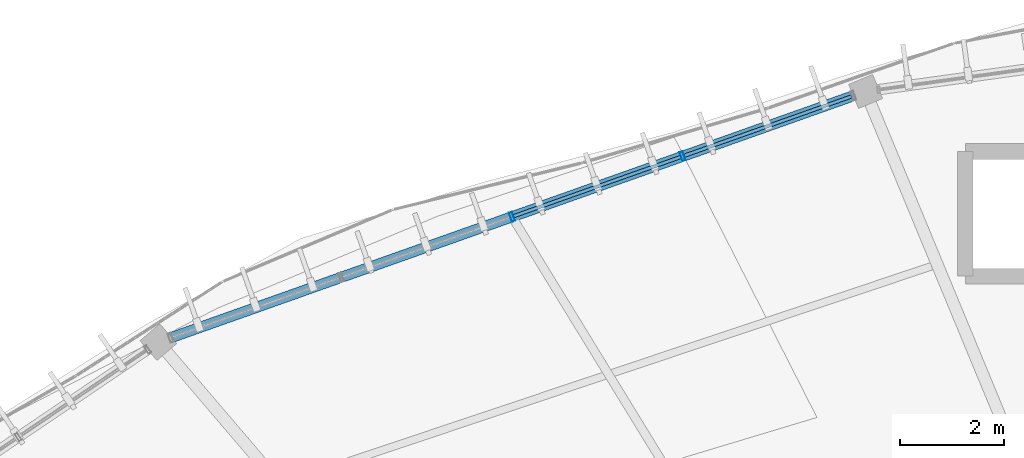
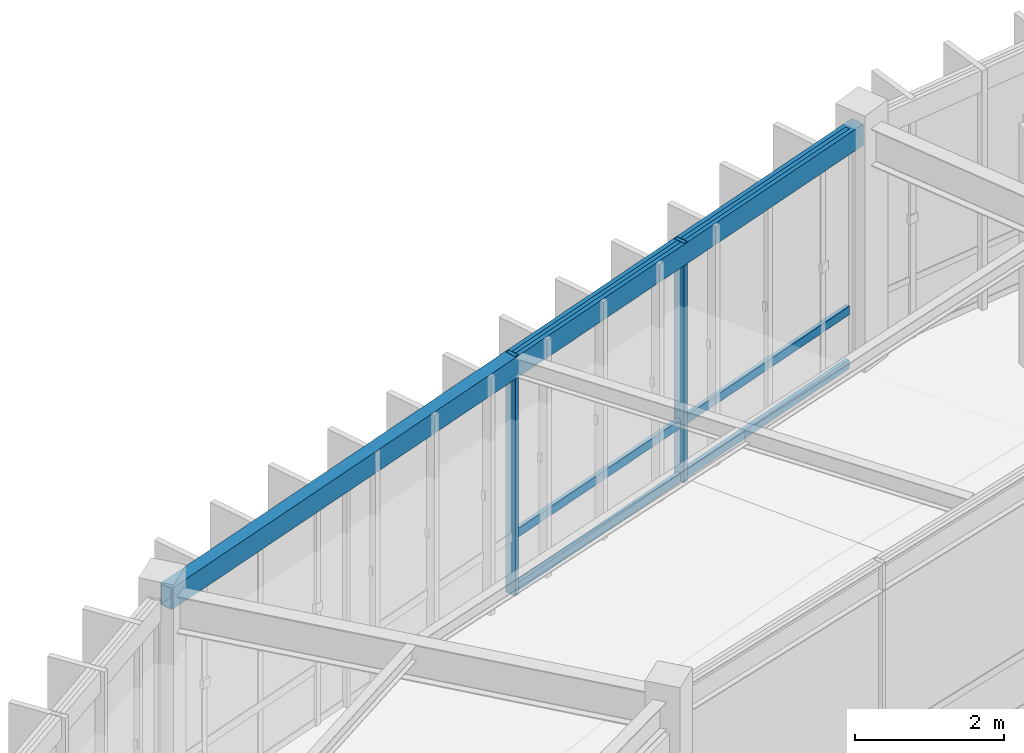
# One storey, part 33 of 78: 8 members, 1 beam, 1 element without a shape of its own.
"""IFC4 building model written with IfcOpenShell, lengths in metres."""

from ifc_helpers import new_model, si_unit, direction, frame, origin, origin_2d, place, context, subcontext, project, spatial, hollow_rectangle, extrude, material, material_profile, profile_set, type_object, element, aggregate, save


model = new_model("IFC4")

# Units and contexts
model_context = context("Model", 3, precision=1e-05, world=origin(), true_north=direction((0.0, 1.0)))
body_context = subcontext(model_context, "Body", "Model", "MODEL_VIEW")
ifc_project = project(units=[si_unit("LENGTHUNIT", "METRE"), si_unit("AREAUNIT", "SQUARE_METRE"), si_unit("VOLUMEUNIT", "CUBIC_METRE"), si_unit("PLANEANGLEUNIT", "RADIAN"), si_unit("MASSUNIT", "GRAM", prefix="KILO"), si_unit("THERMODYNAMICTEMPERATUREUNIT", "KELVIN"), si_unit("POWERUNIT", "WATT")], contexts=[model_context])

# Site, building, storey
site_placement = place(None, origin())
site = spatial("IfcSite", under=ifc_project, at=site_placement, CompositionType="ELEMENT")
building_placement = place(site_placement, origin())
building = spatial("IfcBuilding", under=site, at=building_placement, Name="Darbajah Civic Hall", CompositionType="ELEMENT")
storey_placement = place(building_placement, frame((0.0, 0.0, 26.39990234375)))
storey = spatial("IfcBuildingStorey", under=building, at=storey_placement, Name="L06", CompositionType="ELEMENT", Elevation=26.39990234375)

# Curtain wall, members
ifc_material_1 = material(Name="Anodised Bronze Aluminium and Low-E Glazing", Category="aluminium")
curtain_wall_type = type_object("IfcCurtainWallType", Name="Unitised Curtain Wall CW-80 13900x3900", PredefinedType="USERDEFINED", material=ifc_material_1)
curtain_wall_placement = place(storey_placement, origin())
curtain_wall = element("IfcCurtainWall", 1, at=curtain_wall_placement, inside=storey, type_object=curtain_wall_type, Name="L06 unitised curtain wall CW-V1O-L06-06", ObjectType="UNITISED CURTAIN WALL", PredefinedType="USERDEFINED")
ifc_material_2 = material(Name="Anodised Bronze Aluminium", Category="aluminium")
ifc_material_profile_1 = material_profile(ifc_material_2, hollow_rectangle(XDim=0.06494140625, YDim=0.179931640625, WallThickness=0.00390625, at=origin_2d()), Name="ALU MULLION 65x180")
ifc_profile_set_1 = profile_set([ifc_material_profile_1], Name="Anodised Bronze Aluminium")
member_type_1 = type_object("IfcMemberType", Name="ALU MULLION 65x180", PredefinedType="MULLION", material=ifc_profile_set_1)
member_1_placement = place(storey_placement, frame((66.06298828125, 115.806640625, 0.0), z_axis=(0.0, 0.0, 1.0), x_axis=(-0.94252491309, -0.334135882844, 0.0)))
member_1 = element("IfcMember", 2, at=member_1_placement, type_object=member_type_1, Name="CW-V1O-L06-06 mullion 2", PredefinedType="MULLION", context=body_context, shape_type="SweptSolid", body=[
    extrude(hollow_rectangle(XDim=0.06494140625, YDim=0.179931640625, WallThickness=0.00390625, at=origin_2d()), origin(), (0.0, 0.0, 1.0), 3.920166015625),
])
member_2_placement = place(storey_placement, frame((62.780517578125, 114.643310546875, 0.0), z_axis=(0.0, 0.0, 1.0), x_axis=(-0.94252491309, -0.334135882844, 0.0)))
member_2 = element("IfcMember", 3, at=member_2_placement, type_object=member_type_1, Name="CW-V1O-L06-06 mullion 3", PredefinedType="MULLION", context=body_context, shape_type="SweptSolid", body=[
    extrude(hollow_rectangle(XDim=0.06494140625, YDim=0.179931640625, WallThickness=0.00390625, at=origin_2d()), origin(), (0.0, 0.0, 1.0), 3.920166015625),
])
ifc_material_profile_2 = material_profile(ifc_material_2, hollow_rectangle(XDim=0.06494140625, YDim=0.139892578125, WallThickness=0.00341796875, at=origin_2d()), Name="ALU TRANSOM 65x140")
ifc_profile_set_2 = profile_set([ifc_material_profile_2], Name="Anodised Bronze Aluminium")
member_type_2 = type_object("IfcMemberType", Name="ALU TRANSOM 65x140", PredefinedType="USERDEFINED", material=ifc_profile_set_2)
member_3_placement = place(storey_placement, frame((69.310302734375, 116.957763671875, 0.070068359375), z_axis=(-0.942523847358, -0.33413888903, 0.0), x_axis=(0.33413888903, -0.942523847358, 0.0)))
member_3 = element("IfcMember", 4, at=member_3_placement, type_object=member_type_2, Name="CW-V1O-L06-06 transom 1.1", ObjectType="TRANSOM", PredefinedType="USERDEFINED", context=body_context, shape_type="SweptSolid", body=[
    extrude(hollow_rectangle(XDim=0.06494140625, YDim=0.139892578125, WallThickness=0.00341796875, at=origin_2d()), origin(), (0.0, 0.0, 1.0), 3.40771484375),
])
member_4_placement = place(storey_placement, frame((69.310302734375, 116.957763671875, 0.9501953125), z_axis=(-0.942523847358, -0.33413888903, 0.0), x_axis=(0.33413888903, -0.942523847358, 0.0)))
member_4 = element("IfcMember", 5, at=member_4_placement, type_object=member_type_2, Name="CW-V1O-L06-06 transom 1.2", ObjectType="TRANSOM", PredefinedType="USERDEFINED", context=body_context, shape_type="SweptSolid", body=[
    extrude(hollow_rectangle(XDim=0.06494140625, YDim=0.139892578125, WallThickness=0.00341796875, at=origin_2d()), origin(), (0.0, 0.0, 1.0), 3.40771484375),
])
member_5_placement = place(storey_placement, frame((69.310302734375, 116.957763671875, 3.85009765625), z_axis=(-0.942523847358, -0.33413888903, 0.0), x_axis=(0.33413888903, -0.942523847358, 0.0)))
member_5 = element("IfcMember", 6, at=member_5_placement, type_object=member_type_2, Name="CW-V1O-L06-06 transom 1.3", ObjectType="TRANSOM", PredefinedType="USERDEFINED", context=body_context, shape_type="SweptSolid", body=[
    extrude(hollow_rectangle(XDim=0.06494140625, YDim=0.139892578125, WallThickness=0.00341796875, at=origin_2d()), origin(), (0.0, 0.0, 1.0), 3.40771484375),
])
member_6_placement = place(storey_placement, frame((66.02783203125, 115.794189453125, 0.070068359375), z_axis=(-0.942546408282, -0.334075243373, 0.0), x_axis=(0.334075243373, -0.942546408282, 0.0)))
member_6 = element("IfcMember", 7, at=member_6_placement, type_object=member_type_2, Name="CW-V1O-L06-06 transom 2.1", ObjectType="TRANSOM", PredefinedType="USERDEFINED", context=body_context, shape_type="SweptSolid", body=[
    extrude(hollow_rectangle(XDim=0.06494140625, YDim=0.139892578125, WallThickness=0.00341796875, at=origin_2d()), origin(), (0.0, 0.0, 1.0), 3.40771484375),
])
member_7_placement = place(storey_placement, frame((66.02783203125, 115.794189453125, 0.9501953125), z_axis=(-0.942546408282, -0.334075243373, 0.0), x_axis=(0.334075243373, -0.942546408282, 0.0)))
member_7 = element("IfcMember", 8, at=member_7_placement, type_object=member_type_2, Name="CW-V1O-L06-06 transom 2.2", ObjectType="TRANSOM", PredefinedType="USERDEFINED", context=body_context, shape_type="SweptSolid", body=[
    extrude(hollow_rectangle(XDim=0.06494140625, YDim=0.139892578125, WallThickness=0.00341796875, at=origin_2d()), origin(), (0.0, 0.0, 1.0), 3.40771484375),
])
member_8_placement = place(storey_placement, frame((66.02783203125, 115.794189453125, 3.85009765625), z_axis=(-0.942546408282, -0.334075243373, 0.0), x_axis=(0.334075243373, -0.942546408282, 0.0)))
member_8 = element("IfcMember", 9, at=member_8_placement, type_object=member_type_2, Name="CW-V1O-L06-06 transom 2.3", ObjectType="TRANSOM", PredefinedType="USERDEFINED", context=body_context, shape_type="SweptSolid", body=[
    extrude(hollow_rectangle(XDim=0.06494140625, YDim=0.139892578125, WallThickness=0.00341796875, at=origin_2d()), origin(), (0.0, 0.0, 1.0), 3.40771484375),
])
aggregate(curtain_wall, [member_1, member_2, member_3, member_4, member_5, member_6, member_7, member_8])

# Beam
ifc_material_3 = material(Name="Steel S355JR", Category="steel")
ifc_material_profile_3 = material_profile(ifc_material_3, hollow_rectangle(XDim=0.199951171875, YDim=0.35009765625, WallThickness=0.012451171875, at=origin_2d()), Name="RHS 350x200x12.5")
ifc_profile_set_3 = profile_set([ifc_material_profile_3], Name="Steel S355JR")
beam_type = type_object("IfcBeamType", Name="RHS 350x200x12.5", PredefinedType="SPANDREL", material=ifc_profile_set_3)
beam_placement = place(storey_placement, frame((69.5078125, 117.027587890625, 3.7451171875), z_axis=(-0.942545228917, -0.334078570768, 0.0), x_axis=(0.334078570768, -0.942545228917, 0.0)))
element("IfcBeam", 10, at=beam_placement, inside=storey, type_object=beam_type, Name="L06 beam SP-RHS350", PredefinedType="SPANDREL", context=body_context, shape_type="SweptSolid", body=[
    extrude(hollow_rectangle(XDim=0.199951171875, YDim=0.35009765625, WallThickness=0.012451171875, at=origin_2d()), origin(), (0.0, 0.0, 1.0), 14.2744140625),
])

save(model, "model.ifc")
